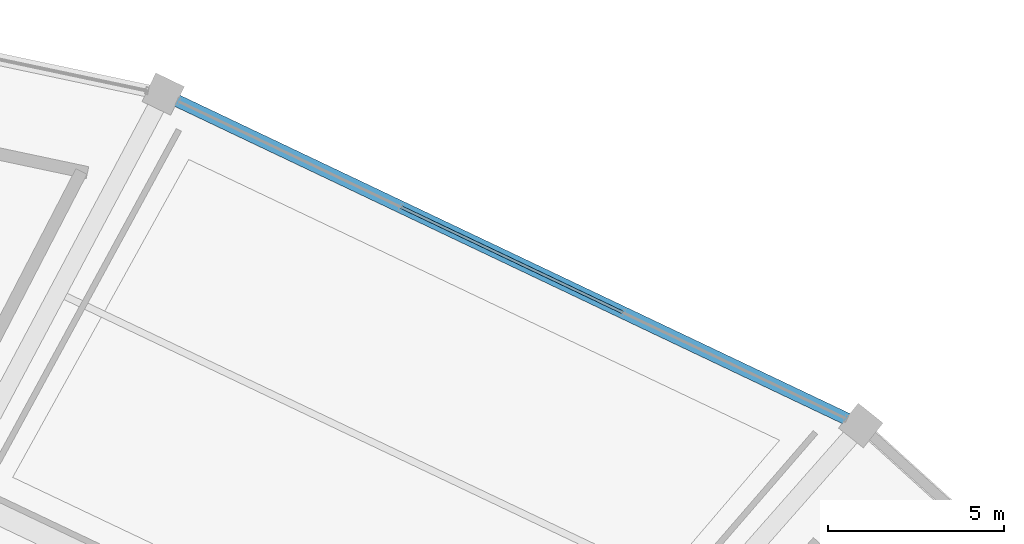
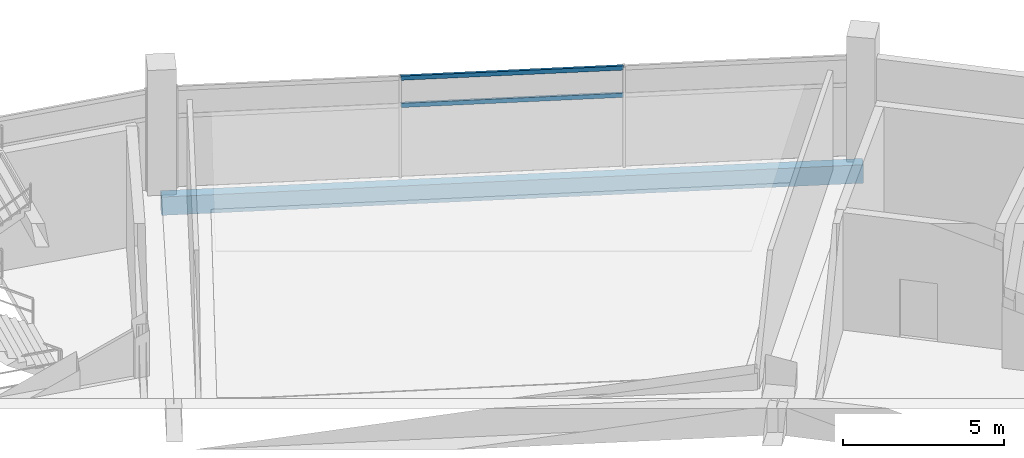
# One storey, part 120 of 171: 2 members, 1 beam, 1 element without a shape of its own.
"""IFC4 building model written with IfcOpenShell, lengths in metres."""

import ifcopenshell
import ifcopenshell.guid

model = None  # the IFC model being written
_history = None  # IfcOwnerHistory: only IFC2X3 demands one
_inside = {}  # id of a spatial element -> (the spatial element, [elements in it])
_under = {}  # id of a project, library or spatial element -> (it, [spatial elements below it])
_declared = {}  # id of a project -> (the project, [libraries it declares])
_typed = {}  # id of a type object -> (the type object, [elements of that type])
_made_of = {}  # id of a material, layer set ... -> (it, [elements and type objects made of it])


def new_model(schema):
    """Start an empty IFC model of exactly this schema.

    Asked for "IFC4X3", IfcOpenShell would pick the latest addendum, in which some entities
    have other attributes; the version numbers below select the first issue.
    IFC2X3 requires an IfcOwnerHistory on every rooted entity: one is made here for all.
    """
    global model, _history
    if schema == "IFC4X3":
        model = ifcopenshell.file(schema_version=(4, 3, 0, 0))
    else:
        model = ifcopenshell.file(schema=schema)
    _inside.clear()
    _under.clear()
    _declared.clear()
    _typed.clear()
    _made_of.clear()
    _history = None
    if model.schema == "IFC2X3":
        org = make("IfcOrganization", Name="unknown")
        user = make(
            "IfcPersonAndOrganization",
            ThePerson=make("IfcPerson", FamilyName="unknown"),
            TheOrganization=org,
        )
        app = make(
            "IfcApplication",
            ApplicationDeveloper=org,
            Version="unknown",
            ApplicationFullName="unknown",
            ApplicationIdentifier="unknown",
        )
        _history = make(
            "IfcOwnerHistory",
            OwningUser=user,
            OwningApplication=app,
            ChangeAction="ADDED",
            CreationDate=0,
        )
    return model


def make(cls, **values):
    """One entity of the class cls with the attributes given. An attribute that is None is left unset."""
    return model.create_entity(
        cls, **{name: value for name, value in values.items() if value is not None}
    )


def rooted(cls, **values):
    """An entity with a GlobalId (a new one), such as an element, a storey or a relation."""
    return make(cls, GlobalId=ifcopenshell.guid.new(), OwnerHistory=_history, **values)


def si_unit(unit_type, name, prefix=None):
    """IfcSIUnit, for example si_unit("LENGTHUNIT", "METRE", prefix="MILLI")."""
    return make("IfcSIUnit", UnitType=unit_type, Prefix=prefix, Name=name)


def assignment(units):
    """IfcUnitAssignment: the units of a project."""
    return None if units is None else make("IfcUnitAssignment", Units=units)


def point(xyz):
    """IfcCartesianPoint."""
    return None if xyz is None else make("IfcCartesianPoint", Coordinates=xyz)


def direction(xyz):
    """IfcDirection."""
    return None if xyz is None else make("IfcDirection", DirectionRatios=xyz)


def frame(location, z_axis=None, x_axis=None):
    """IfcAxis2Placement3D, a coordinate frame: its origin and axes. An axis left out is left unset."""
    return make(
        "IfcAxis2Placement3D",
        Location=point(location),
        Axis=direction(z_axis),
        RefDirection=direction(x_axis),
    )


def frame_2d(location, x_axis=None):
    """IfcAxis2Placement2D, a coordinate frame in the plane: its origin and x axis."""
    return make(
        "IfcAxis2Placement2D", Location=point(location), RefDirection=direction(x_axis)
    )


def origin():
    """The frame at (0, 0, 0) with its axes left unset."""
    return frame((0.0, 0.0, 0.0))


def origin_2d():
    """The frame at (0, 0) in the plane with its x axis left unset."""
    return frame_2d((0.0, 0.0))


def place(relative_to, where):
    """IfcLocalPlacement: puts the frame where relative to a parent placement (None: the world)."""
    return make(
        "IfcLocalPlacement", PlacementRelTo=relative_to, RelativePlacement=where
    )


def context(
    kind, dimensions, precision=None, world=None, true_north=None, identifier=None
):
    """IfcGeometricRepresentationContext, for example the 3D "Model" context."""
    return make(
        "IfcGeometricRepresentationContext",
        ContextIdentifier=identifier,
        ContextType=kind,
        CoordinateSpaceDimension=dimensions,
        Precision=precision,
        WorldCoordinateSystem=world,
        TrueNorth=true_north,
    )


def subcontext(parent, identifier, kind, view, scale=None):
    """IfcGeometricRepresentationSubContext, for example "Body" below "Model"."""
    return make(
        "IfcGeometricRepresentationSubContext",
        ContextIdentifier=identifier,
        ContextType=kind,
        ParentContext=parent,
        TargetScale=scale,
        TargetView=view,
    )


def project(units=None, contexts=None):
    """IfcProject with its units and contexts."""
    return rooted(
        "IfcProject",
        Name="project",
        RepresentationContexts=contexts,
        UnitsInContext=assignment(units),
    )


def spatial(cls, under=None, at=None, **own):
    """A site, building, storey or space (cls), placed at a placement, below another one or the project."""
    s = rooted(cls, ObjectPlacement=at, **own)
    if under is not None:
        _under.setdefault(under.id(), (under, []))[1].append(s)
    return s


def profile(cls, at=None, kind="AREA", **sizes):
    """A parametric profile (cls). Its sizes go by their IFC names, for example OverallWidth=200.0."""
    return make(cls, ProfileType=kind, Position=at, **sizes)


def rectangle(**sizes):
    """IfcRectangleProfileDef."""
    return profile("IfcRectangleProfileDef", **sizes)


def hollow_rectangle(**sizes):
    """IfcRectangleHollowProfileDef."""
    return profile("IfcRectangleHollowProfileDef", **sizes)


def extrude(swept, where, along, depth):
    """IfcExtrudedAreaSolid: the profile swept, set in the frame where, extruded along a direction by depth."""
    return make(
        "IfcExtrudedAreaSolid",
        SweptArea=swept,
        Position=where,
        ExtrudedDirection=direction(along),
        Depth=depth,
    )


def shape(context_of_items, identifier, shape_type, items):
    """IfcShapeRepresentation: the items that make up one representation, for example the "Body"."""
    return make(
        "IfcShapeRepresentation",
        ContextOfItems=context_of_items,
        RepresentationIdentifier=identifier,
        RepresentationType=shape_type,
        Items=items,
    )


def material(Name=None, Category=None):
    """IfcMaterial."""
    return make("IfcMaterial", Name=Name, Category=Category)


def layer(
    of_material, thickness, ventilated=None, Name=None, Category=None, Priority=None
):
    """IfcMaterialLayer: one layer of a wall or slab, of a material (None: an air gap)."""
    return make(
        "IfcMaterialLayer",
        Material=of_material,
        LayerThickness=thickness,
        IsVentilated=ventilated,
        Name=Name,
        Category=Category,
        Priority=Priority,
    )


def layer_set(layers, Name=None):
    """IfcMaterialLayerSet."""
    return make("IfcMaterialLayerSet", MaterialLayers=layers, LayerSetName=Name)


def material_profile(
    of_material, cross_section, Name=None, Category=None, Priority=None
):
    """IfcMaterialProfile: a cross section and its material."""
    return make(
        "IfcMaterialProfile",
        Name=Name,
        Material=of_material,
        Profile=cross_section,
        Priority=Priority,
        Category=Category,
    )


def profile_set(profiles, Name=None, composite=None):
    """IfcMaterialProfileSet."""
    return make(
        "IfcMaterialProfileSet",
        Name=Name,
        MaterialProfiles=profiles,
        CompositeProfile=composite,
    )


def made_of(thing, what):
    """Note that an element or type object is made of a material, layer set ...; save() writes the relation."""
    if what is not None:
        _made_of.setdefault(what.id(), (what, []))[1].append(thing)
    return thing


def type_object(cls, material=None, **own):
    """A type object (cls), such as IfcWallType, which elements share."""
    return made_of(rooted(cls, **own), material)


def element(
    cls,
    number,
    at=None,
    inside=None,
    cuts=None,
    type_object=None,
    material=None,
    context=None,
    identifier="Body",
    shape_type=None,
    held_by="IfcProductDefinitionShape",
    body=None,
    shapes=None,
    **own,
):
    """One element of the class cls, such as IfcWall. Its Tag is "e" and its number.

    at: its placement. inside: the storey or other place that contains it. cuts: it is an
    opening in that element (IfcRelVoidsElement). A single representation is given by context,
    identifier, shape_type and body (its items); several are given by shapes. held_by: the class
    of the entity that holds the representations. save() writes the other relations.
    """
    e = rooted(cls, Tag="e%d" % number, ObjectPlacement=at, **own)
    if body is not None:
        shapes = [shape(context, identifier, shape_type, body)]
    if shapes is not None:
        e.Representation = make(held_by, Representations=shapes)
    if inside is not None:
        _inside.setdefault(inside.id(), (inside, []))[1].append(e)
    if cuts is not None:
        rooted(
            "IfcRelVoidsElement", RelatingBuildingElement=cuts, RelatedOpeningElement=e
        )
    if type_object is not None:
        _typed.setdefault(type_object.id(), (type_object, []))[1].append(e)
    return made_of(e, material)


def aggregate(whole, parts):
    """IfcRelAggregates: a whole, such as a stair, and the parts it consists of."""
    return rooted("IfcRelAggregates", RelatingObject=whole, RelatedObjects=parts)


def save(model, path):
    """Write the relations noted so far, then the file.

    IfcRelAggregates (storeys below a building ...), IfcRelContainedInSpatialStructure (elements
    in a storey), IfcRelDefinesByType, IfcRelAssociatesMaterial and IfcRelDeclares: one each for
    every whole, place, type object, material and project.
    """
    for whole, parts in _under.values():
        aggregate(whole, parts)
    for where, things in _inside.values():
        rooted(
            "IfcRelContainedInSpatialStructure",
            RelatedElements=things,
            RelatingStructure=where,
        )
    for kind, things in _typed.values():
        rooted("IfcRelDefinesByType", RelatedObjects=things, RelatingType=kind)
    for what, things in _made_of.values():
        rooted("IfcRelAssociatesMaterial", RelatedObjects=things, RelatingMaterial=what)
    for by, libraries in _declared.values():
        rooted("IfcRelDeclares", RelatingContext=by, RelatedDefinitions=libraries)
    model.write(path)


model = new_model("IFC4")

# Units and contexts
model_context = context("Model", 3, precision=1e-05, world=origin(), true_north=direction((0.0, 1.0)))
body_context = subcontext(model_context, "Body", "Model", "MODEL_VIEW")
ifc_project = project(units=[si_unit("LENGTHUNIT", "METRE"), si_unit("AREAUNIT", "SQUARE_METRE"), si_unit("VOLUMEUNIT", "CUBIC_METRE"), si_unit("PLANEANGLEUNIT", "RADIAN"), si_unit("MASSUNIT", "GRAM", prefix="KILO")], contexts=[model_context])

# Site, building, storey
site_placement = place(None, origin())
site = spatial("IfcSite", under=ifc_project, at=site_placement, CompositionType="ELEMENT")
building_placement = place(site_placement, origin())
building = spatial("IfcBuilding", under=site, at=building_placement, Name="Kazemori Nagisa Stadium", CompositionType="ELEMENT")
storey_placement = place(building_placement, frame((0.0, 0.0, 15.639892578125)))
storey = spatial("IfcBuildingStorey", under=building, at=storey_placement, Name="L03", CompositionType="ELEMENT", Elevation=15.639892578125)

# Beam
ifc_material_1 = material(Name="Concrete C40/50 (Fc42)", Category="concrete")
ifc_material_profile_1 = material_profile(ifc_material_1, rectangle(XDim=0.35009765625, YDim=0.699951171875, at=origin_2d()), Name="RC-SP-350x700")
ifc_profile_set_1 = profile_set([ifc_material_profile_1], Name="Concrete C40/50 (Fc42)")
beam_type = type_object("IfcBeamType", Name="Beam_BS-RC350X700", PredefinedType="SPANDREL", material=ifc_profile_set_1)
beam_placement = place(storey_placement, frame((185.597900390625, 173.05908203125, -0.60986328125), z_axis=(-0.903215644095, 0.429187022475, 0.0), x_axis=(-0.429187022475, -0.903215644095, 0.0)))
element("IfcBeam", 1, at=beam_placement, inside=storey, type_object=beam_type, Name="Ring girder BS-RC350X700 L03 R3-05", PredefinedType="SPANDREL", context=body_context, shape_type="SweptSolid", body=[
    extrude(rectangle(XDim=0.35009765625, YDim=0.699951171875, at=origin_2d()), origin(), (0.0, 0.0, 1.0), 21.9140625),
])

# Curtain wall, members
ifc_material_2 = material(Name="Anodised aluminium 6063-T5", Category="aluminium")
ifc_layer = layer(ifc_material_2, 0.2099609375, Name="Anodised aluminium 6063-T5", Category="aluminium")
ifc_layer_set = layer_set([ifc_layer], Name="Anodised aluminium 6063-T5")
curtain_wall_type = type_object("IfcCurtainWallType", Name="CW_L03R3_105", PredefinedType="USERDEFINED", material=ifc_layer_set)
curtain_wall_placement = place(storey_placement, origin())
curtain_wall = element("IfcCurtainWall", 2, at=curtain_wall_placement, inside=storey, type_object=curtain_wall_type, Name="Unitised curtain wall CW-L03R3-105 L03", ObjectType="UNITISED CURTAIN WALL", PredefinedType="USERDEFINED")
ifc_material_3 = material(Name="Aluminium 6063-T5 anodised", Category="aluminium")
ifc_material_profile_2 = material_profile(ifc_material_3, hollow_rectangle(XDim=0.080078125, YDim=0.159912109375, WallThickness=0.00390625, at=origin_2d()), Name="ALU-TRAN-80x160x4")
ifc_profile_set_2 = profile_set([ifc_material_profile_2], Name="Aluminium 6063-T5 anodised")
member_type = type_object("IfcMemberType", Name="Transom_T02", PredefinedType="USERDEFINED", material=ifc_profile_set_2)
member_1_placement = place(storey_placement, frame((178.839111328125, 176.2705078125, 2.705322265625), z_axis=(-0.903207701329, 0.429203737473, 0.0), x_axis=(-0.429203737473, -0.903207701329, 0.0)))
member_1 = element("IfcMember", 3, at=member_1_placement, type_object=member_type, Name="Curtain wall transom CW-L03R3-105-T2-mid", ObjectType="TRANSOM", PredefinedType="USERDEFINED", context=body_context, shape_type="SweptSolid", body=[
    extrude(hollow_rectangle(XDim=0.080078125, YDim=0.159912109375, WallThickness=0.00390625, at=origin_2d()), origin(), (0.0, 0.0, 1.0), 6.9482421875),
])
member_2_placement = place(storey_placement, frame((178.839111328125, 176.2705078125, 3.739990234375), z_axis=(-0.903207701329, 0.429203737473, 0.0), x_axis=(-0.429203737473, -0.903207701329, 0.0)))
member_2 = element("IfcMember", 4, at=member_2_placement, type_object=member_type, Name="Curtain wall transom CW-L03R3-105-T2-head", ObjectType="TRANSOM", PredefinedType="USERDEFINED", context=body_context, shape_type="SweptSolid", body=[
    extrude(hollow_rectangle(XDim=0.080078125, YDim=0.159912109375, WallThickness=0.00390625, at=origin_2d()), origin(), (0.0, 0.0, 1.0), 6.9482421875),
])
aggregate(curtain_wall, [member_1, member_2])

save(model, "model.ifc")
